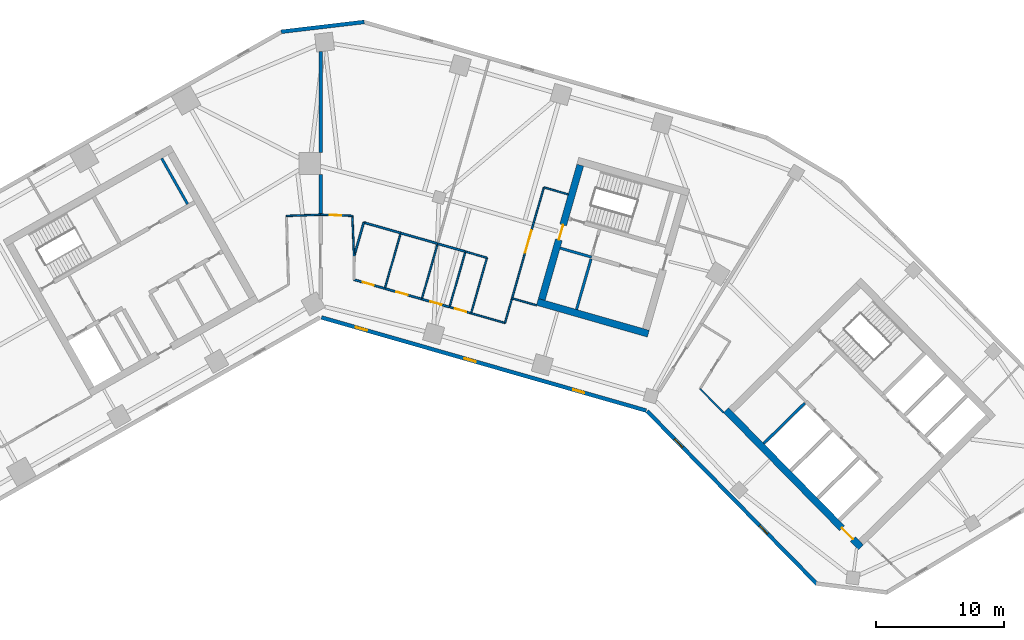
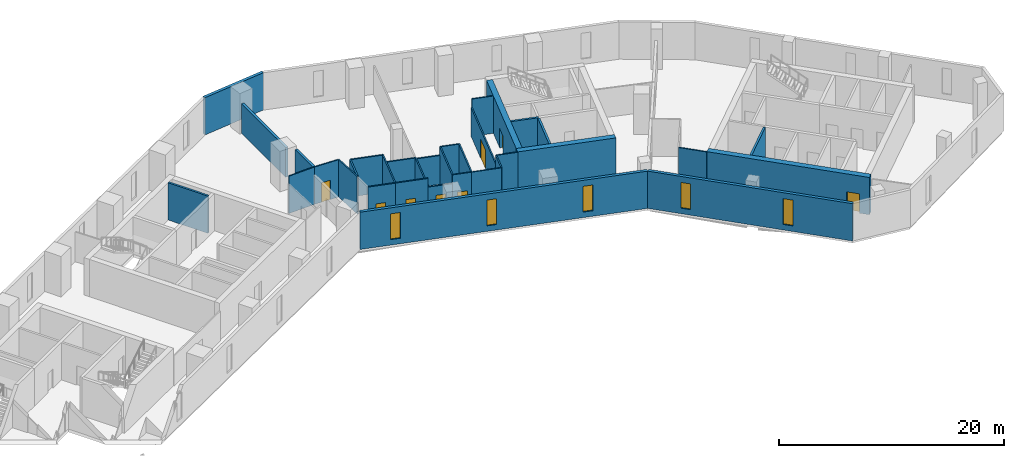
# One storey, part 5 of 10: 34 walls, 8 doors, 5 windows, 13 openings.
"""IFC4 building model written with IfcOpenShell, lengths in metres."""

from ifc_helpers import new_model, si_unit, direction, frame, frame_2d, origin, place, context, subcontext, project, spatial, rectangle, extrude, material, layer, layer_set, type_object, element, fill, save


model = new_model("IFC4")

# Units and contexts
model_context = context("Model", 3, precision=1e-05, world=origin(), true_north=direction((0.0, 1.0)))
body_context = subcontext(model_context, "Body", "Model", "MODEL_VIEW")
ifc_project = project(units=[si_unit("LENGTHUNIT", "METRE"), si_unit("AREAUNIT", "SQUARE_METRE"), si_unit("VOLUMEUNIT", "CUBIC_METRE"), si_unit("PLANEANGLEUNIT", "RADIAN"), si_unit("MASSUNIT", "GRAM", prefix="KILO")], contexts=[model_context])

# Site, building, storey
site_placement = place(None, origin())
site = spatial("IfcSite", under=ifc_project, at=site_placement, CompositionType="ELEMENT")
building_placement = place(site_placement, origin())
building = spatial("IfcBuilding", under=site, at=building_placement, Name="Binnacle Exchange Tower", CompositionType="ELEMENT")
storey_placement = place(building_placement, frame((0.0, 0.0, 145.5)))
storey = spatial("IfcBuildingStorey", under=building, at=storey_placement, Name="L30", CompositionType="ELEMENT", Elevation=145.5)

# Wall, opening, door
ifc_material_1 = material(Name="Concrete C70/85", Category="concrete")
ifc_layer_1 = layer(ifc_material_1, 0.550048828125)
ifc_layer_set_1 = layer_set([ifc_layer_1], Name="Core wall - outer 550")
wall_type_1 = type_object("IfcWallType", Name="Core wall - outer 550", PredefinedType="SOLIDWALL", material=ifc_layer_set_1)
wall_1_placement = place(storey_placement, frame((31.627685546875, 40.7451171875, 0.0), z_axis=(0.0, 0.0, 1.0), x_axis=(0.700911255944, -0.713248491965, 0.0)))
wall_1 = element("IfcWall", 1, at=wall_1_placement, inside=storey, type_object=wall_type_1, Name="Core wall CRWB1", PredefinedType="SOLIDWALL", context=body_context, shape_type="SweptSolid", body=[
    extrude(rectangle(XDim=15.0, YDim=0.550048828125, at=frame_2d((7.5, 0.0))), origin(), (0.0, 0.0, 1.0), 4.050048828125),
])
opening_1_placement = place(wall_1_placement, frame((12.89990234375, 0.0, 0.0)))
opening_1 = element("IfcOpeningElement", 2, at=opening_1_placement, cuts=wall_1, Name="Opening DB7", PredefinedType="OPENING", context=body_context, shape_type="SweptSolid", body=[
    extrude(rectangle(XDim=1.199951171875, YDim=2.10009765625, at=frame_2d((0.60009765625, 1.050048828125))), frame((0.0, 0.284912109375, 0.0), z_axis=(0.0, -1.0, 0.0), x_axis=(1.0, 0.0, 0.0)), (0.0, 0.0, 1.0), 0.570068359375),
])
ifc_material_2 = material(Name="Steel door leaf", Category="steel")
door_type_1 = type_object("IfcDoorType", Name="Fire door 1200", OperationType="NOTDEFINED", PredefinedType="DOOR", material=ifc_material_2)
door_1_placement = place(opening_1_placement, frame((1.199951171875, 0.0, 0.0), z_axis=(0.0, 0.0, 1.0), x_axis=(-1.0, 0.0, 0.0)))
door_1 = element("IfcDoor", 3, at=door_1_placement, inside=storey, type_object=door_type_1, Name="Lift lobby entrance door core B", OperationType="SINGLE_SWING_LEFT", OverallHeight=2.10009765625, OverallWidth=1.199951171875, PredefinedType="DOOR", context=body_context, shape_type="SweptSolid", body=[
    extrude(rectangle(XDim=1.199951171875, YDim=2.10009765625, at=frame_2d((0.60009765625, 1.050048828125))), frame((0.0, 0.02490234375, 0.0), z_axis=(0.0, -1.0, 0.0), x_axis=(1.0, 0.0, 0.0)), (0.0, 0.0, 1.0), 0.050048828125),
])
fill(opening_1, door_1)

# Wall
wall_2_placement = place(storey_placement, frame((16.90380859375, 49.197265625, 0.0), z_axis=(0.0, 0.0, 1.0), x_axis=(0.96126248289, -0.275634611374, 0.0)))
element("IfcWall", 4, at=wall_2_placement, inside=storey, type_object=wall_type_1, Name="Core wall CRWD1", PredefinedType="SOLIDWALL", context=body_context, shape_type="SweptSolid", body=[
    extrude(rectangle(XDim=9.0, YDim=0.550048828125, at=frame_2d((4.5, 0.0))), origin(), (0.0, 0.0, 1.0), 4.050048828125),
])

# Wall, opening, door
wall_3_placement = place(storey_placement, frame((17.243896484375, 49.3857421875, 0.0), z_axis=(0.0, 0.0, 1.0), x_axis=(0.275632146085, 0.96126318979, 0.0)))
wall_3 = element("IfcWall", 5, at=wall_3_placement, inside=storey, type_object=wall_type_1, Name="Core wall CRWD7", PredefinedType="SOLIDWALL", context=body_context, shape_type="SweptSolid", body=[
    extrude(rectangle(XDim=10.89990234375, YDim=0.550048828125, at=frame_2d((5.449951171875, 0.0))), origin(), (0.0, 0.0, 1.0), 4.050048828125),
])
opening_2_placement = place(wall_3_placement, frame((4.85009765625, 0.0, 0.0)))
opening_2 = element("IfcOpeningElement", 6, at=opening_2_placement, cuts=wall_3, Name="Opening DD5", PredefinedType="OPENING", context=body_context, shape_type="SweptSolid", body=[
    extrude(rectangle(XDim=1.199951171875, YDim=2.10009765625, at=frame_2d((0.60009765625, 1.050048828125))), frame((0.0, 0.284912109375, 0.0), z_axis=(0.0, -1.0, 0.0), x_axis=(1.0, 0.0, 0.0)), (0.0, 0.0, 1.0), 0.570068359375),
])
door_2_placement = place(opening_2_placement, origin())
door_2 = element("IfcDoor", 7, at=door_2_placement, inside=storey, type_object=door_type_1, Name="Vestibule exit door VEST-W", OperationType="SINGLE_SWING_RIGHT", OverallHeight=2.10009765625, OverallWidth=1.199951171875, PredefinedType="DOOR", context=body_context, shape_type="SweptSolid", body=[
    extrude(rectangle(XDim=1.199951171875, YDim=2.10009765625, at=frame_2d((0.60009765625, 1.050048828125))), frame((0.0, 0.02490234375, 0.0), z_axis=(0.0, -1.0, 0.0), x_axis=(1.0, 0.0, 0.0)), (0.0, 0.0, 1.0), 0.050048828125),
])
fill(opening_2, door_2)

# Wall
ifc_material_3 = material(Name="Bronze aluminium cladding", Category="aluminium")
ifc_layer_2 = layer(ifc_material_3, 0.300048828125)
ifc_layer_set_2 = layer_set([ifc_layer_2], Name="External wall - spandrel 300")
wall_type_2 = type_object("IfcWallType", Name="External wall - spandrel 300", PredefinedType="STANDARD", material=ifc_layer_set_2)
wall_4_placement = place(storey_placement, frame((-3.076171875, 70.27294921875, 0.0), z_axis=(0.0, 0.0, 1.0), x_axis=(0.993067743007, 0.117543429416, 0.0)))
element("IfcWall", 8, at=wall_4_placement, inside=storey, type_object=wall_type_2, Name="External wall EW-F02 L30", PredefinedType="STANDARD", context=body_context, shape_type="SweptSolid", body=[
    extrude(rectangle(XDim=6.515625, YDim=0.300048828125, at=frame_2d((3.2578125, 0.0))), origin(), (0.0, 0.0, 1.0), 4.050048828125),
])

# Wall, openings, windows
wall_5_placement = place(storey_placement, frame((25.398193359375, 40.71728515625, 0.0), z_axis=(0.0, 0.0, 1.0), x_axis=(-0.961262423262, 0.275634819324, 0.0)))
wall_5 = element("IfcWall", 9, at=wall_5_placement, inside=storey, type_object=wall_type_2, Name="External wall EW-F08 L30", PredefinedType="STANDARD", context=body_context, shape_type="SweptSolid", body=[
    extrude(rectangle(XDim=26.358642578125, YDim=0.300048828125, at=frame_2d((13.17919921875, 0.0))), origin(), (0.0, 0.0, 1.0), 4.050048828125),
])
opening_3_placement = place(wall_5_placement, frame((22.6640625, 0.0, 0.60009765625)))
opening_3 = element("IfcOpeningElement", 10, at=opening_3_placement, cuts=wall_5, Name="Opening WS2", PredefinedType="OPENING", context=body_context, shape_type="SweptSolid", body=[
    extrude(rectangle(XDim=0.89990234375, YDim=2.800048828125, at=frame_2d((0.449951171875, 1.39990234375))), frame((0.0, 0.159912109375, 0.0), z_axis=(0.0, -1.0, 0.0), x_axis=(1.0, 0.0, 0.0)), (0.0, 0.0, 1.0), 0.320068359375),
])
opening_4_placement = place(wall_5_placement, frame((13.843505859375, 0.0, 0.60009765625)))
opening_4 = element("IfcOpeningElement", 11, at=opening_4_placement, cuts=wall_5, Name="Opening WS2", PredefinedType="OPENING", context=body_context, shape_type="SweptSolid", body=[
    extrude(rectangle(XDim=0.89990234375, YDim=2.800048828125, at=frame_2d((0.449951171875, 1.39990234375))), frame((0.0, 0.159912109375, 0.0), z_axis=(0.0, -1.0, 0.0), x_axis=(1.0, 0.0, 0.0)), (0.0, 0.0, 1.0), 0.320068359375),
])
opening_5_placement = place(wall_5_placement, frame((5.023193359375, 0.0, 0.60009765625)))
opening_5 = element("IfcOpeningElement", 12, at=opening_5_placement, cuts=wall_5, Name="Opening WS2", PredefinedType="OPENING", context=body_context, shape_type="SweptSolid", body=[
    extrude(rectangle(XDim=0.89990234375, YDim=2.800048828125, at=frame_2d((0.449951171875, 1.39990234375))), frame((0.0, 0.159912109375, 0.0), z_axis=(0.0, -1.0, 0.0), x_axis=(1.0, 0.0, 0.0)), (0.0, 0.0, 1.0), 0.320068359375),
])
ifc_material_4 = material(Name="Bronze anodised aluminium frame", Category="aluminium")
window_type = type_object("IfcWindowType", Name="WS2 WINDOW 900x2800", PartitioningType="SINGLE_PANEL", PredefinedType="WINDOW", material=ifc_material_4)
window_1_placement = place(opening_3_placement, origin())
window_1 = element("IfcWindow", 13, at=window_1_placement, inside=storey, type_object=window_type, Name="Window WS2 L30", OverallHeight=2.800048828125, OverallWidth=0.89990234375, PartitioningType="SINGLE_PANEL", PredefinedType="WINDOW", context=body_context, shape_type="SweptSolid", body=[
    extrude(rectangle(XDim=0.89990234375, YDim=2.800048828125, at=frame_2d((0.449951171875, 1.39990234375))), frame((0.0, 0.030029296875, 0.0), z_axis=(0.0, -1.0, 0.0), x_axis=(1.0, 0.0, 0.0)), (0.0, 0.0, 1.0), 0.06005859375),
])
fill(opening_3, window_1)
window_2_placement = place(opening_4_placement, origin())
window_2 = element("IfcWindow", 14, at=window_2_placement, inside=storey, type_object=window_type, Name="Window WS2 L30", OverallHeight=2.800048828125, OverallWidth=0.89990234375, PartitioningType="SINGLE_PANEL", PredefinedType="WINDOW", context=body_context, shape_type="SweptSolid", body=[
    extrude(rectangle(XDim=0.89990234375, YDim=2.800048828125, at=frame_2d((0.449951171875, 1.39990234375))), frame((0.0, 0.030029296875, 0.0), z_axis=(0.0, -1.0, 0.0), x_axis=(1.0, 0.0, 0.0)), (0.0, 0.0, 1.0), 0.06005859375),
])
fill(opening_4, window_2)
window_3_placement = place(opening_5_placement, origin())
window_3 = element("IfcWindow", 15, at=window_3_placement, inside=storey, type_object=window_type, Name="Window WS2 L30", OverallHeight=2.800048828125, OverallWidth=0.89990234375, PartitioningType="SINGLE_PANEL", PredefinedType="WINDOW", context=body_context, shape_type="SweptSolid", body=[
    extrude(rectangle(XDim=0.89990234375, YDim=2.800048828125, at=frame_2d((0.449951171875, 1.39990234375))), frame((0.0, 0.030029296875, 0.0), z_axis=(0.0, -1.0, 0.0), x_axis=(1.0, 0.0, 0.0)), (0.0, 0.0, 1.0), 0.06005859375),
])
fill(opening_5, window_3)

wall_6_placement = place(storey_placement, frame((38.727294921875, 27.18115234375, 0.0), z_axis=(0.0, 0.0, 1.0), x_axis=(-0.700906405975, 0.713253258011, 0.0)))
wall_6 = element("IfcWall", 16, at=wall_6_placement, inside=storey, type_object=wall_type_2, Name="External wall EW-F09 L30", PredefinedType="STANDARD", context=body_context, shape_type="SweptSolid", body=[
    extrude(rectangle(XDim=18.92333984375, YDim=0.300048828125, at=frame_2d((9.461669921875, 0.0))), origin(), (0.0, 0.0, 1.0), 4.050048828125),
])
opening_6_placement = place(wall_6_placement, frame((14.967041015625, 0.0, 0.60009765625)))
opening_6 = element("IfcOpeningElement", 17, at=opening_6_placement, cuts=wall_6, Name="Opening WS2", PredefinedType="OPENING", context=body_context, shape_type="SweptSolid", body=[
    extrude(rectangle(XDim=0.89990234375, YDim=2.800048828125, at=frame_2d((0.449951171875, 1.39990234375))), frame((0.0, 0.159912109375, 0.0), z_axis=(0.0, -1.0, 0.0), x_axis=(1.0, 0.0, 0.0)), (0.0, 0.0, 1.0), 0.320068359375),
])
opening_7_placement = place(wall_6_placement, frame((5.51171875, 0.0, 0.60009765625)))
opening_7 = element("IfcOpeningElement", 18, at=opening_7_placement, cuts=wall_6, Name="Opening WS2", PredefinedType="OPENING", context=body_context, shape_type="SweptSolid", body=[
    extrude(rectangle(XDim=0.89990234375, YDim=2.800048828125, at=frame_2d((0.449951171875, 1.39990234375))), frame((0.0, 0.159912109375, 0.0), z_axis=(0.0, -1.0, 0.0), x_axis=(1.0, 0.0, 0.0)), (0.0, 0.0, 1.0), 0.320068359375),
])
window_4_placement = place(opening_6_placement, origin())
window_4 = element("IfcWindow", 19, at=window_4_placement, inside=storey, type_object=window_type, Name="Window WS2 L30", OverallHeight=2.800048828125, OverallWidth=0.89990234375, PartitioningType="SINGLE_PANEL", PredefinedType="WINDOW", context=body_context, shape_type="SweptSolid", body=[
    extrude(rectangle(XDim=0.89990234375, YDim=2.800048828125, at=frame_2d((0.449951171875, 1.39990234375))), frame((0.0, 0.030029296875, 0.0), z_axis=(0.0, -1.0, 0.0), x_axis=(1.0, 0.0, 0.0)), (0.0, 0.0, 1.0), 0.06005859375),
])
fill(opening_6, window_4)
window_5_placement = place(opening_7_placement, origin())
window_5 = element("IfcWindow", 20, at=window_5_placement, inside=storey, type_object=window_type, Name="Window WS2 L30", OverallHeight=2.800048828125, OverallWidth=0.89990234375, PartitioningType="SINGLE_PANEL", PredefinedType="WINDOW", context=body_context, shape_type="SweptSolid", body=[
    extrude(rectangle(XDim=0.89990234375, YDim=2.800048828125, at=frame_2d((0.449951171875, 1.39990234375))), frame((0.0, 0.030029296875, 0.0), z_axis=(0.0, -1.0, 0.0), x_axis=(1.0, 0.0, 0.0)), (0.0, 0.0, 1.0), 0.06005859375),
])
fill(opening_7, window_5)

# Walls
ifc_material_5 = material(Name="Concrete fire wall C30/37", Category="concrete")
ifc_layer_3 = layer(ifc_material_5, 0.25)
ifc_layer_set_3 = layer_set([ifc_layer_3], Name="Fire wall - compartment 250")
wall_type_3 = type_object("IfcWallType", Name="Fire wall - compartment 250", PredefinedType="PARTITIONING", material=ifc_layer_set_3)
wall_7_placement = place(storey_placement, frame((0.0, 56.0, 0.0), z_axis=(0.0, 0.0, 1.0), x_axis=(0.0, 1.0, 0.0)))
element("IfcWall", 21, at=wall_7_placement, inside=storey, type_object=wall_type_3, Name="Fire Wall W09", PredefinedType="PARTITIONING", context=body_context, shape_type="SweptSolid", body=[
    extrude(rectangle(XDim=3.14990234375, YDim=0.25, at=frame_2d((1.574951171875, 0.0))), origin(), (0.0, 0.0, 1.0), 4.050048828125),
])
wall_8_placement = place(storey_placement, frame((0.0, 60.85009765625, 0.0), z_axis=(0.0, 0.0, 1.0), x_axis=(0.0, 1.0, 0.0)))
element("IfcWall", 22, at=wall_8_placement, inside=storey, type_object=wall_type_3, Name="Fire Wall W11", PredefinedType="PARTITIONING", context=body_context, shape_type="SweptSolid", body=[
    extrude(rectangle(XDim=7.8740234375, YDim=0.25, at=frame_2d((3.93701171875, 0.0))), origin(), (0.0, 0.0, 1.0), 3.22998046875),
])

# Wall, opening, door
ifc_material_6 = material(Name="Gypsum partition fire rated")
ifc_layer_4 = layer(ifc_material_6, 0.14990234375)
ifc_layer_set_4 = layer_set([ifc_layer_4], Name="Fire-rated partition 150")
wall_type_4 = type_object("IfcWallType", Name="Fire-rated partition 150", PredefinedType="PARTITIONING", material=ifc_layer_set_4)
wall_9_placement = place(storey_placement, frame((2.60107421875, 50.931884765625, 0.0), z_axis=(0.0, 0.0, 1.0), x_axis=(0.961265528111, -0.275623991092, 0.0)))
wall_9 = element("IfcWall", 23, at=wall_9_placement, inside=storey, type_object=wall_type_4, Name="Partition W14", PredefinedType="PARTITIONING", context=body_context, shape_type="SweptSolid", body=[
    extrude(rectangle(XDim=2.499755859375, YDim=0.14990234375, at=frame_2d((1.25, 0.0))), origin(), (0.0, 0.0, 1.0), 4.050048828125),
])
opening_8_placement = place(wall_9_placement, frame((0.699951171875, 0.0, 0.0)))
opening_8 = element("IfcOpeningElement", 24, at=opening_8_placement, cuts=wall_9, Name="Opening DL28-03", PredefinedType="OPENING", context=body_context, shape_type="SweptSolid", body=[
    extrude(rectangle(XDim=0.89990234375, YDim=2.10009765625, at=frame_2d((0.449951171875, 1.050048828125))), frame((0.0, 0.0849609375, 0.0), z_axis=(0.0, -1.0, 0.0), x_axis=(1.0, 0.0, 0.0)), (0.0, 0.0, 1.0), 0.169921875),
])
door_type_2 = type_object("IfcDoorType", Name="Fire door 900", OperationType="NOTDEFINED", PredefinedType="DOOR", material=ifc_material_2)
door_3_placement = place(opening_8_placement, origin())
door_3 = element("IfcDoor", 25, at=door_3_placement, inside=storey, type_object=door_type_2, Name="Door DL28-03", OperationType="SINGLE_SWING_LEFT", OverallHeight=2.10009765625, OverallWidth=0.89990234375, PredefinedType="DOOR", context=body_context, shape_type="SweptSolid", body=[
    extrude(rectangle(XDim=0.89990234375, YDim=2.10009765625, at=frame_2d((0.449951171875, 1.050048828125))), frame((0.0, 0.02490234375, 0.0), z_axis=(0.0, -1.0, 0.0), x_axis=(1.0, 0.0, 0.0)), (0.0, 0.0, 1.0), 0.050048828125),
])
fill(opening_8, door_3)

# Walls
wall_10_placement = place(storey_placement, frame((2.60302734375, 52.751953125, 0.0), z_axis=(0.0, 0.0, 1.0), x_axis=(0.27569433145, 0.961245356611, 0.0)))
element("IfcWall", 26, at=wall_10_placement, inside=storey, type_object=wall_type_4, Name="Partition W15", PredefinedType="PARTITIONING", context=body_context, shape_type="SweptSolid", body=[
    extrude(rectangle(XDim=2.74951171875, YDim=0.14990234375, at=frame_2d((1.374755859375, 0.0))), origin(), (0.0, 0.0, 1.0), 4.050048828125),
])
wall_11_placement = place(storey_placement, frame((3.361083984375, 55.39501953125, 0.0), z_axis=(0.0, 0.0, 1.0), x_axis=(0.961268664977, -0.27561305073, 0.0)))
element("IfcWall", 27, at=wall_11_placement, inside=storey, type_object=wall_type_4, Name="Partition W16", PredefinedType="PARTITIONING", context=body_context, shape_type="SweptSolid", body=[
    extrude(rectangle(XDim=3.000244140625, YDim=0.14990234375, at=frame_2d((1.5, 0.0))), origin(), (0.0, 0.0, 1.0), 4.050048828125),
])

# Wall, opening, door
wall_12_placement = place(storey_placement, frame((5.00390625, 50.242919921875, 0.0), z_axis=(0.0, 0.0, 1.0), x_axis=(0.961268664977, -0.27561305073, 0.0)))
wall_12 = element("IfcWall", 28, at=wall_12_placement, inside=storey, type_object=wall_type_4, Name="Partition W18", PredefinedType="PARTITIONING", context=body_context, shape_type="SweptSolid", body=[
    extrude(rectangle(XDim=3.000244140625, YDim=0.14990234375, at=frame_2d((1.5, 0.0))), origin(), (0.0, 0.0, 1.0), 4.050048828125),
])
opening_9_placement = place(wall_12_placement, frame((0.949951171875, 0.0, 0.0)))
opening_9 = element("IfcOpeningElement", 29, at=opening_9_placement, cuts=wall_12, Name="Opening DL28-04", PredefinedType="OPENING", context=body_context, shape_type="SweptSolid", body=[
    extrude(rectangle(XDim=0.89990234375, YDim=2.10009765625, at=frame_2d((0.449951171875, 1.050048828125))), frame((0.0, 0.0849609375, 0.0), z_axis=(0.0, -1.0, 0.0), x_axis=(1.0, 0.0, 0.0)), (0.0, 0.0, 1.0), 0.169921875),
])
door_4_placement = place(opening_9_placement, origin())
door_4 = element("IfcDoor", 30, at=door_4_placement, inside=storey, type_object=door_type_2, Name="Door DL28-04", OperationType="SINGLE_SWING_LEFT", OverallHeight=2.10009765625, OverallWidth=0.89990234375, PredefinedType="DOOR", context=body_context, shape_type="SweptSolid", body=[
    extrude(rectangle(XDim=0.89990234375, YDim=2.10009765625, at=frame_2d((0.449951171875, 1.050048828125))), frame((0.0, 0.02490234375, 0.0), z_axis=(0.0, -1.0, 0.0), x_axis=(1.0, 0.0, 0.0)), (0.0, 0.0, 1.0), 0.050048828125),
])
fill(opening_9, door_4)

# Wall
wall_13_placement = place(storey_placement, frame((6.2451171875, 54.568115234375, 0.0), z_axis=(0.0, 0.0, 1.0), x_axis=(0.961240918172, -0.275709806194, 0.0)))
element("IfcWall", 31, at=wall_13_placement, inside=storey, type_object=wall_type_4, Name="Partition W19", PredefinedType="PARTITIONING", context=body_context, shape_type="SweptSolid", body=[
    extrude(rectangle(XDim=3.0, YDim=0.14990234375, at=frame_2d((1.5, 0.0))), origin(), (0.0, 0.0, 1.0), 3.22998046875),
])

# Wall, opening, door
wall_14_placement = place(storey_placement, frame((7.887939453125, 49.416015625, 0.0), z_axis=(0.0, 0.0, 1.0), x_axis=(0.9611628742, -0.275981755301, 0.0)))
wall_14 = element("IfcWall", 32, at=wall_14_placement, inside=storey, type_object=wall_type_4, Name="Partition W21", PredefinedType="PARTITIONING", context=body_context, shape_type="SweptSolid", body=[
    extrude(rectangle(XDim=2.25048828125, YDim=0.14990234375, at=frame_2d((1.125244140625, 0.0))), origin(), (0.0, 0.0, 1.0), 3.117919921875),
])
opening_10_placement = place(wall_14_placement, frame((0.699951171875, 0.0, 0.0)))
opening_10 = element("IfcOpeningElement", 33, at=opening_10_placement, cuts=wall_14, Name="Opening DL28-05", PredefinedType="OPENING", context=body_context, shape_type="SweptSolid", body=[
    extrude(rectangle(XDim=0.89990234375, YDim=2.10009765625, at=frame_2d((0.449951171875, 1.050048828125))), frame((0.0, 0.0849609375, 0.0), z_axis=(0.0, -1.0, 0.0), x_axis=(1.0, 0.0, 0.0)), (0.0, 0.0, 1.0), 0.169921875),
])
door_5_placement = place(opening_10_placement, origin())
door_5 = element("IfcDoor", 34, at=door_5_placement, inside=storey, type_object=door_type_2, Name="Door DL28-05", OperationType="SINGLE_SWING_RIGHT", OverallHeight=2.10009765625, OverallWidth=0.89990234375, PredefinedType="DOOR", context=body_context, shape_type="SweptSolid", body=[
    extrude(rectangle(XDim=0.89990234375, YDim=2.10009765625, at=frame_2d((0.449951171875, 1.050048828125))), frame((0.0, 0.02490234375, 0.0), z_axis=(0.0, -1.0, 0.0), x_axis=(1.0, 0.0, 0.0)), (0.0, 0.0, 1.0), 0.050048828125),
])
fill(opening_10, door_5)

# Walls
wall_15_placement = place(storey_placement, frame((9.12890625, 53.740966796875, 0.0), z_axis=(0.0, 0.0, 1.0), x_axis=(0.961273691875, -0.275595517578, 0.0)))
element("IfcWall", 35, at=wall_15_placement, inside=storey, type_object=wall_type_4, Name="Partition W22", PredefinedType="PARTITIONING", context=body_context, shape_type="SweptSolid", body=[
    extrude(rectangle(XDim=2.249267578125, YDim=0.14990234375, at=frame_2d((1.12451171875, 0.0))), origin(), (0.0, 0.0, 1.0), 3.117919921875),
])
ifc_material_7 = material(Name="Gypsum partition")
ifc_layer_5 = layer(ifc_material_7, 0.125)
ifc_layer_set_5 = layer_set([ifc_layer_5], Name="Partition 125")
wall_type_5 = type_object("IfcWallType", Name="Partition 125", PredefinedType="PARTITIONING", material=ifc_layer_set_5)
wall_16_placement = place(storey_placement, frame((-2.669921875, 55.904052734375, 0.0), z_axis=(0.0, 0.0, 1.0), x_axis=(0.999354913865, 0.03591317494, 0.0)))
element("IfcWall", 36, at=wall_16_placement, inside=storey, type_object=wall_type_5, Name="Partition W07", PredefinedType="PARTITIONING", context=body_context, shape_type="SweptSolid", body=[
    extrude(rectangle(XDim=2.671630859375, YDim=0.125, at=frame_2d((1.3359375, 0.0))), origin(), (0.0, 0.0, 1.0), 4.050048828125),
])

# Wall, opening, door
wall_17_placement = place(storey_placement, frame((0.0, 56.0, 0.0), z_axis=(0.0, 0.0, 1.0), x_axis=(0.999349313684, -0.036068673934, 0.0)))
wall_17 = element("IfcWall", 37, at=wall_17_placement, inside=storey, type_object=wall_type_5, Name="Partition W10", PredefinedType="PARTITIONING", context=body_context, shape_type="SweptSolid", body=[
    extrude(rectangle(XDim=2.470703125, YDim=0.125, at=frame_2d((1.2353515625, 0.0))), origin(), (0.0, 0.0, 1.0), 4.050048828125),
])
opening_11_placement = place(wall_17_placement, frame((0.699951171875, 0.0, 0.0)))
opening_11 = element("IfcOpeningElement", 38, at=opening_11_placement, cuts=wall_17, Name="Opening DL28-07", PredefinedType="OPENING", context=body_context, shape_type="SweptSolid", body=[
    extrude(rectangle(XDim=0.89990234375, YDim=2.10009765625, at=frame_2d((0.449951171875, 1.050048828125))), frame((0.0, 0.072509765625, 0.0), z_axis=(0.0, -1.0, 0.0), x_axis=(1.0, 0.0, 0.0)), (0.0, 0.0, 1.0), 0.14501953125),
])
ifc_material_8 = material(Name="Timber door leaf", Category="wood")
door_type_3 = type_object("IfcDoorType", Name="Door 900", OperationType="NOTDEFINED", PredefinedType="DOOR", material=ifc_material_8)
door_6_placement = place(opening_11_placement, origin())
door_6 = element("IfcDoor", 39, at=door_6_placement, inside=storey, type_object=door_type_3, Name="Door DL28-07", OperationType="SINGLE_SWING_LEFT", OverallHeight=2.10009765625, OverallWidth=0.89990234375, PredefinedType="DOOR", context=body_context, shape_type="SweptSolid", body=[
    extrude(rectangle(XDim=0.89990234375, YDim=2.10009765625, at=frame_2d((0.449951171875, 1.050048828125))), frame((0.0, 0.02490234375, 0.0), z_axis=(0.0, -1.0, 0.0), x_axis=(1.0, 0.0, 0.0)), (0.0, 0.0, 1.0), 0.050048828125),
])
fill(opening_11, door_6)

# Walls
wall_18_placement = place(storey_placement, frame((2.468994140625, 55.910888671875, 0.0), z_axis=(0.0, 0.0, 1.0), x_axis=(0.042391721597, -0.99910106693, 0.0)))
element("IfcWall", 40, at=wall_18_placement, inside=storey, type_object=wall_type_5, Name="Partition W12", PredefinedType="PARTITIONING", context=body_context, shape_type="SweptSolid", body=[
    extrude(rectangle(XDim=3.161865234375, YDim=0.125, at=frame_2d((1.5810546875, 0.0))), origin(), (0.0, 0.0, 1.0), 4.050048828125),
])
wall_19_placement = place(storey_placement, frame((5.00390625, 50.242919921875, 0.0), z_axis=(0.0, 0.0, 1.0), x_axis=(0.275838825927, 0.961203902464, 0.0)))
element("IfcWall", 41, at=wall_19_placement, inside=storey, type_object=wall_type_5, Name="Partition W17", PredefinedType="PARTITIONING", context=body_context, shape_type="SweptSolid", body=[
    extrude(rectangle(XDim=4.499755859375, YDim=0.125, at=frame_2d((2.25, 0.0))), origin(), (0.0, 0.0, 1.0), 4.050048828125),
])
wall_20_placement = place(storey_placement, frame((7.887939453125, 49.416015625, 0.0), z_axis=(0.0, 0.0, 1.0), x_axis=(0.275803080638, 0.96121415965, 0.0)))
element("IfcWall", 42, at=wall_20_placement, inside=storey, type_object=wall_type_5, Name="Partition W20", PredefinedType="PARTITIONING", context=body_context, shape_type="SweptSolid", body=[
    extrude(rectangle(XDim=4.49951171875, YDim=0.125, at=frame_2d((2.249755859375, 0.0))), origin(), (0.0, 0.0, 1.0), 3.22998046875),
])
wall_21_placement = place(storey_placement, frame((10.051025390625, 48.794921875, 0.0), z_axis=(0.0, 0.0, 1.0), x_axis=(0.275530671241, 0.961292280841, 0.0)))
element("IfcWall", 43, at=wall_21_placement, inside=storey, type_object=wall_type_5, Name="Partition W24", PredefinedType="PARTITIONING", context=body_context, shape_type="SweptSolid", body=[
    extrude(rectangle(XDim=4.50048828125, YDim=0.125, at=frame_2d((2.250244140625, 0.0))), origin(), (0.0, 0.0, 1.0), 4.050048828125),
])

# Wall, opening, door
wall_22_placement = place(storey_placement, frame((10.051025390625, 48.794921875, 0.0), z_axis=(0.0, 0.0, 1.0), x_axis=(0.961313033798, -0.275458256455, 0.0)))
wall_22 = element("IfcWall", 44, at=wall_22_placement, inside=storey, type_object=wall_type_5, Name="Partition W25", PredefinedType="PARTITIONING", context=body_context, shape_type="SweptSolid", body=[
    extrude(rectangle(XDim=1.74951171875, YDim=0.125, at=frame_2d((0.874755859375, 0.0))), origin(), (0.0, 0.0, 1.0), 4.050048828125),
])
opening_12_placement = place(wall_22_placement, frame((0.449951171875, 0.0, 0.0)))
opening_12 = element("IfcOpeningElement", 45, at=opening_12_placement, cuts=wall_22, Name="Opening DL28-06", PredefinedType="OPENING", context=body_context, shape_type="SweptSolid", body=[
    extrude(rectangle(XDim=0.89990234375, YDim=2.10009765625, at=frame_2d((0.449951171875, 1.050048828125))), frame((0.0, 0.072509765625, 0.0), z_axis=(0.0, -1.0, 0.0), x_axis=(1.0, 0.0, 0.0)), (0.0, 0.0, 1.0), 0.14501953125),
])
door_7_placement = place(opening_12_placement, origin())
door_7 = element("IfcDoor", 46, at=door_7_placement, inside=storey, type_object=door_type_3, Name="Door DL28-06", OperationType="SINGLE_SWING_RIGHT", OverallHeight=2.10009765625, OverallWidth=0.89990234375, PredefinedType="DOOR", context=body_context, shape_type="SweptSolid", body=[
    extrude(rectangle(XDim=0.89990234375, YDim=2.10009765625, at=frame_2d((0.449951171875, 1.050048828125))), frame((0.0, 0.02490234375, 0.0), z_axis=(0.0, -1.0, 0.0), x_axis=(1.0, 0.0, 0.0)), (0.0, 0.0, 1.0), 0.050048828125),
])
fill(opening_12, door_7)

# Walls
wall_23_placement = place(storey_placement, frame((11.291015625, 53.12109375, 0.0), z_axis=(0.0, 0.0, 1.0), x_axis=(0.961329010357, -0.275402494264, 0.0)))
element("IfcWall", 47, at=wall_23_placement, inside=storey, type_object=wall_type_5, Name="Partition W26", PredefinedType="PARTITIONING", context=body_context, shape_type="SweptSolid", body=[
    extrude(rectangle(XDim=1.750732421875, YDim=0.125, at=frame_2d((0.87548828125, 0.0))), origin(), (0.0, 0.0, 1.0), 4.050048828125),
])
wall_24_placement = place(storey_placement, frame((11.73291015625, 48.31298828125, 0.0), z_axis=(0.0, 0.0, 1.0), x_axis=(0.275795676316, 0.961216284155, 0.0)))
element("IfcWall", 48, at=wall_24_placement, inside=storey, type_object=wall_type_5, Name="Partition W27", PredefinedType="PARTITIONING", context=body_context, shape_type="SweptSolid", body=[
    extrude(rectangle(XDim=4.50048828125, YDim=0.125, at=frame_2d((2.250244140625, 0.0))), origin(), (0.0, 0.0, 1.0), 4.050048828125),
])
wall_25_placement = place(storey_placement, frame((11.73291015625, 48.31298828125, 0.0), z_axis=(0.0, 0.0, 1.0), x_axis=(0.961272337704, -0.275600240865, 0.0)))
element("IfcWall", 49, at=wall_25_placement, inside=storey, type_object=wall_type_5, Name="Partition W28", PredefinedType="PARTITIONING", context=body_context, shape_type="SweptSolid", body=[
    extrude(rectangle(XDim=2.75048828125, YDim=0.125, at=frame_2d((1.375244140625, 0.0))), origin(), (0.0, 0.0, 1.0), 4.050048828125),
])
wall_26_placement = place(storey_placement, frame((14.376953125, 47.554931640625, 0.0), z_axis=(0.0, 0.0, 1.0), x_axis=(0.275446387355, 0.961316434736, 0.0)))
element("IfcWall", 50, at=wall_26_placement, inside=storey, type_object=wall_type_5, Name="Partition W29", PredefinedType="PARTITIONING", context=body_context, shape_type="SweptSolid", body=[
    extrude(rectangle(XDim=2.00048828125, YDim=0.125, at=frame_2d((1.000244140625, 0.0))), origin(), (0.0, 0.0, 1.0), 4.050048828125),
])
wall_27_placement = place(storey_placement, frame((14.927978515625, 49.47802734375, 0.0), z_axis=(0.0, 0.0, 1.0), x_axis=(0.961243778232, -0.27569983462, 0.0)))
element("IfcWall", 51, at=wall_27_placement, inside=storey, type_object=wall_type_5, Name="Partition W30", PredefinedType="PARTITIONING", context=body_context, shape_type="SweptSolid", body=[
    extrude(rectangle(XDim=1.9765625, YDim=0.125, at=frame_2d((0.98828125, 0.0))), origin(), (0.0, 0.0, 1.0), 4.050048828125),
])

# Wall, opening, door
wall_28_placement = place(storey_placement, frame((14.927978515625, 49.47802734375, 0.0), z_axis=(0.0, 0.0, 1.0), x_axis=(0.275674053528, 0.961251172281, 0.0)))
wall_28 = element("IfcWall", 52, at=wall_28_placement, inside=storey, type_object=wall_type_5, Name="Partition W31", PredefinedType="PARTITIONING", context=body_context, shape_type="SweptSolid", body=[
    extrude(rectangle(XDim=8.99951171875, YDim=0.125, at=frame_2d((4.499755859375, 0.0))), origin(), (0.0, 0.0, 1.0), 3.117919921875),
])
opening_13_placement = place(wall_28_placement, frame((3.699951171875, 0.0, 0.0)))
opening_13 = element("IfcOpeningElement", 53, at=opening_13_placement, cuts=wall_28, Name="Opening DL28-08", PredefinedType="OPENING", context=body_context, shape_type="SweptSolid", body=[
    extrude(rectangle(XDim=1.800048828125, YDim=2.10009765625, at=frame_2d((0.89990234375, 1.050048828125))), frame((0.0, 0.072509765625, 0.0), z_axis=(0.0, -1.0, 0.0), x_axis=(1.0, 0.0, 0.0)), (0.0, 0.0, 1.0), 0.14501953125),
])
door_type_4 = type_object("IfcDoorType", Name="Double door 1800", OperationType="NOTDEFINED", PredefinedType="DOOR", material=ifc_material_8)
door_8_placement = place(opening_13_placement, origin())
door_8 = element("IfcDoor", 54, at=door_8_placement, inside=storey, type_object=door_type_4, Name="Door DL28-08", OperationType="DOUBLE_DOOR_SINGLE_SWING", OverallHeight=2.10009765625, OverallWidth=1.800048828125, PredefinedType="DOOR", context=body_context, shape_type="SweptSolid", body=[
    extrude(rectangle(XDim=1.800048828125, YDim=2.10009765625, at=frame_2d((0.89990234375, 1.050048828125))), frame((0.0, 0.02490234375, 0.0), z_axis=(0.0, -1.0, 0.0), x_axis=(1.0, 0.0, 0.0)), (0.0, 0.0, 1.0), 0.050048828125),
])
fill(opening_13, door_8)

# Walls
wall_29_placement = place(storey_placement, frame((17.408935546875, 58.12890625, 0.0), z_axis=(0.0, 0.0, 1.0), x_axis=(0.961253165474, -0.275667103345, 0.0)))
element("IfcWall", 55, at=wall_29_placement, inside=storey, type_object=wall_type_5, Name="Partition W32", PredefinedType="PARTITIONING", context=body_context, shape_type="SweptSolid", body=[
    extrude(rectangle(XDim=1.976806640625, YDim=0.125, at=frame_2d((0.98828125, 0.0))), origin(), (0.0, 0.0, 1.0), 4.050048828125),
])
wall_30_placement = place(storey_placement, frame((29.60009765625, 42.416015625, 0.0), z_axis=(0.0, 0.0, 1.0), x_axis=(0.700914320664, -0.713245480244, 0.0)))
element("IfcWall", 56, at=wall_30_placement, inside=storey, type_object=wall_type_5, Name="Partition W35", PredefinedType="PARTITIONING", context=body_context, shape_type="SweptSolid", body=[
    extrude(rectangle(XDim=2.613525390625, YDim=0.125, at=frame_2d((1.306640625, 0.0))), origin(), (0.0, 0.0, 1.0), 4.050048828125),
])
ifc_material_9 = material(Name="Masonry block wall", Category="masonry")
ifc_layer_6 = layer(ifc_material_9, 0.199951171875)
ifc_layer_set_6 = layer_set([ifc_layer_6], Name="Riser wall 200")
wall_type_6 = type_object("IfcWallType", Name="Riser wall 200", PredefinedType="SOLIDWALL", material=ifc_layer_set_6)
wall_31_placement = place(storey_placement, frame((-12.40185546875, 60.39404296875, 0.0), z_axis=(0.0, 0.0, 1.0), x_axis=(0.492453559952, -0.87033872216, 0.0)))
element("IfcWall", 57, at=wall_31_placement, inside=storey, type_object=wall_type_6, Name="Core wall CRWC23", PredefinedType="SOLIDWALL", context=body_context, shape_type="SweptSolid", body=[
    extrude(rectangle(XDim=4.099853515625, YDim=0.199951171875, at=frame_2d((2.0498046875, 0.0))), origin(), (0.0, 0.0, 1.0), 4.050048828125),
])
wall_32_placement = place(storey_placement, frame((34.5576171875, 38.15625, 0.0), z_axis=(0.0, 0.0, 1.0), x_axis=(0.713237924006, 0.700922009755, 0.0)))
element("IfcWall", 58, at=wall_32_placement, inside=storey, type_object=wall_type_6, Name="Core wall CRWB9", PredefinedType="SOLIDWALL", context=body_context, shape_type="SweptSolid", body=[
    extrude(rectangle(XDim=4.499755859375, YDim=0.199951171875, at=frame_2d((2.25, 0.0))), origin(), (0.0, 0.0, 1.0), 4.050048828125),
])
wall_33_placement = place(storey_placement, frame((18.6796875, 53.3955078125, 0.0), z_axis=(0.0, 0.0, 1.0), x_axis=(0.961234387647, -0.275732573349, 0.0)))
element("IfcWall", 59, at=wall_33_placement, inside=storey, type_object=wall_type_6, Name="Core wall CRWD2", PredefinedType="SOLIDWALL", context=body_context, shape_type="SweptSolid", body=[
    extrude(rectangle(XDim=2.550048828125, YDim=0.199951171875, at=frame_2d((1.27490234375, 0.0))), origin(), (0.0, 0.0, 1.0), 4.050048828125),
])
wall_34_placement = place(storey_placement, frame((19.95947265625, 48.607177734375, 0.0), z_axis=(0.0, 0.0, 1.0), x_axis=(0.275641165445, 0.961260603537, 0.0)))
element("IfcWall", 60, at=wall_34_placement, inside=storey, type_object=wall_type_6, Name="Core wall CRWD8", PredefinedType="SOLIDWALL", context=body_context, shape_type="SweptSolid", body=[
    extrude(rectangle(XDim=4.10009765625, YDim=0.199951171875, at=frame_2d((2.050048828125, 0.0))), origin(), (0.0, 0.0, 1.0), 4.050048828125),
])

save(model, "model.ifc")
